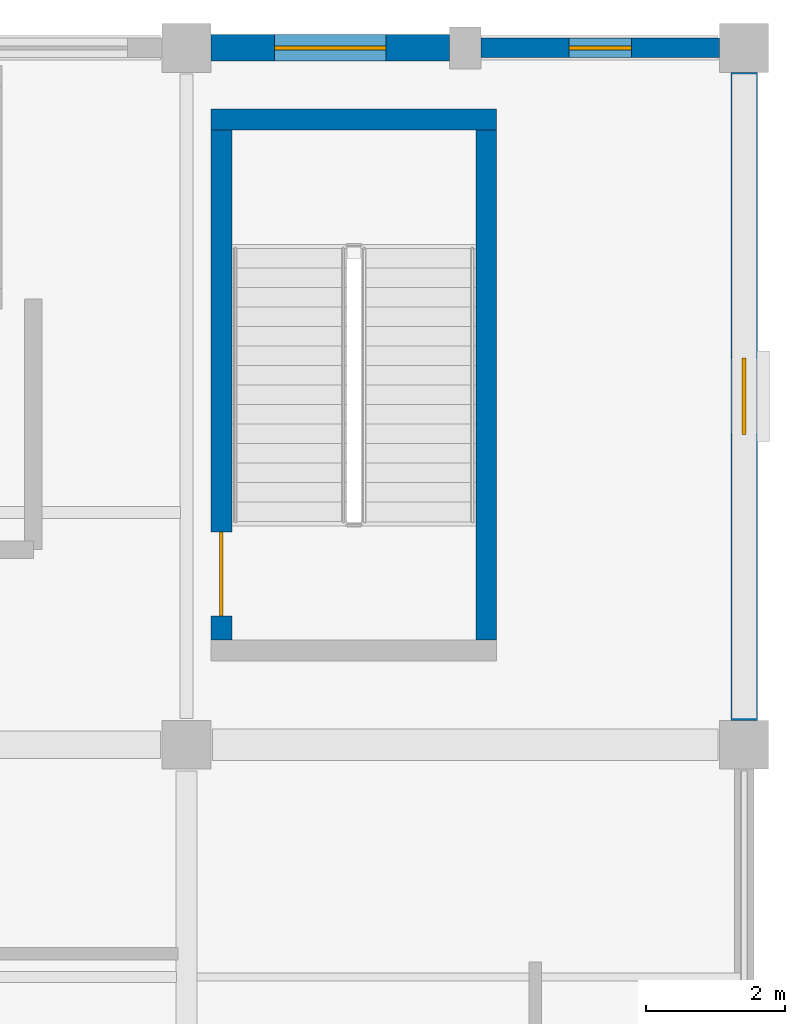
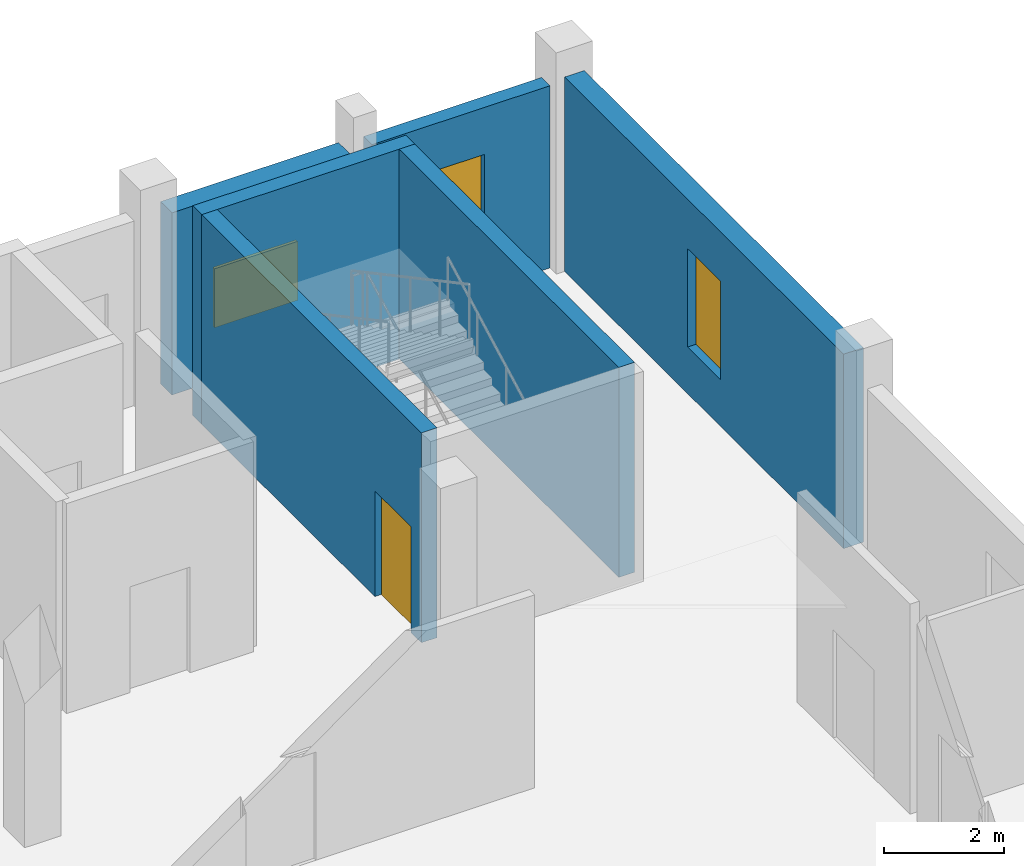
# One storey, part 51 of 77: 6 walls, 3 windows, 1 door, 4 openings.
"""IFC4 building model written with IfcOpenShell, lengths in metres."""

from ifc_helpers import new_model, si_unit, direction, frame, frame_2d, origin, place, context, subcontext, project, spatial, rectangle, extrude, material, layer, layer_set, type_object, element, fill, save


model = new_model("IFC4")

# Units and contexts
model_context = context("Model", 3, precision=1e-05, world=origin(), true_north=direction((0.0, 1.0)))
body_context = subcontext(model_context, "Body", "Model", "MODEL_VIEW")
ifc_project = project(units=[si_unit("LENGTHUNIT", "METRE"), si_unit("AREAUNIT", "SQUARE_METRE"), si_unit("VOLUMEUNIT", "CUBIC_METRE"), si_unit("PLANEANGLEUNIT", "RADIAN"), si_unit("MASSUNIT", "GRAM", prefix="KILO")], contexts=[model_context])

# Site, building, storey
site_placement = place(None, origin())
site = spatial("IfcSite", under=ifc_project, at=site_placement, CompositionType="ELEMENT")
building_placement = place(site_placement, origin())
building = spatial("IfcBuilding", under=site, at=building_placement, Name="Luwemba Playhouse", CompositionType="ELEMENT")
storey_placement = place(building_placement, frame((0.0, 0.0, 9.300048828125)))
storey = spatial("IfcBuildingStorey", under=building, at=storey_placement, Name="L02", CompositionType="ELEMENT", Elevation=9.300048828125)

# Wall, opening, window
ifc_material_1 = material(Name="Clay facing brick obra vista masonry", Category="masonry")
ifc_layer_1 = layer(ifc_material_1, 0.3798828125)
ifc_layer_set_1 = layer_set([ifc_layer_1], Name="Clay facing brick obra vista masonry")
wall_type_1 = type_object("IfcWallType", Name="WAL-BRK-380", PredefinedType="SOLIDWALL", material=ifc_layer_set_1)
wall_1_placement = place(storey_placement, frame((164.35009765625, 115.0, 0.0), z_axis=(0.0, 0.0, 1.0), x_axis=(1.0, 0.0, 0.0)))
wall_1 = element("IfcWall", 1, at=wall_1_placement, inside=storey, type_object=wall_type_1, Name="L02 V6E exterior facade wall 0390", PredefinedType="SOLIDWALL", context=body_context, shape_type="SweptSolid", body=[
    extrude(rectangle(XDim=3.4248046875, YDim=0.3798828125, at=frame_2d((1.71240234375, 0.0))), origin(), (0.0, 0.0, 1.0), 3.704833984375),
])
opening_1_placement = place(wall_1_placement, frame((0.91259765625, 0.0, 0.949951171875)))
opening_1 = element("IfcOpeningElement", 2, at=opening_1_placement, cuts=wall_1, Name="Opening WN-15", PredefinedType="OPENING", context=body_context, shape_type="SweptSolid", body=[
    extrude(rectangle(XDim=1.60009765625, YDim=1.199951171875, at=frame_2d((0.800048828125, 0.60009765625))), frame((0.0, 0.199951171875, 0.0), z_axis=(0.0, -1.0, 0.0), x_axis=(1.0, 0.0, 0.0)), (0.0, 0.0, 1.0), 0.39990234375),
])
ifc_material_2 = material(Name="Solar-control double glazing in aluminium frame", Category="aluminium")
window_type_1 = type_object("IfcWindowType", Name="WIN-WN-15", PartitioningType="DOUBLE_PANEL_HORIZONTAL", PredefinedType="WINDOW", material=ifc_material_2)
window_1_placement = place(opening_1_placement, origin())
window_1 = element("IfcWindow", 3, at=window_1_placement, inside=storey, type_object=window_type_1, Name="L02 V6E scheduled window 0333", OverallHeight=1.199951171875, OverallWidth=1.60009765625, PartitioningType="DOUBLE_PANEL_HORIZONTAL", PredefinedType="WINDOW", context=body_context, shape_type="SweptSolid", body=[
    extrude(rectangle(XDim=1.60009765625, YDim=1.199951171875, at=frame_2d((0.800048828125, 0.60009765625))), frame((0.0, 0.030029296875, 0.0), z_axis=(0.0, -1.0, 0.0), x_axis=(1.0, 0.0, 0.0)), (0.0, 0.0, 1.0), 0.06005859375),
])
fill(opening_1, window_1)

wall_2_placement = place(storey_placement, frame((172.0, 114.64990234375, 0.0), z_axis=(0.0, 0.0, 1.0), x_axis=(0.0, -1.0, 0.0)))
wall_2 = element("IfcWall", 4, at=wall_2_placement, inside=storey, type_object=wall_type_1, Name="L02 V6E exterior facade wall 0392", PredefinedType="SOLIDWALL", context=body_context, shape_type="SweptSolid", body=[
    extrude(rectangle(XDim=9.2998046875, YDim=0.3798828125, at=frame_2d((4.64990234375, 0.0))), origin(), (0.0, 0.0, 1.0), 3.954833984375),
])
opening_2_placement = place(wall_2_placement, frame((4.10009765625, 0.0, 0.949951171875)))
opening_2 = element("IfcOpeningElement", 5, at=opening_2_placement, cuts=wall_2, Name="Opening WN-19", PredefinedType="OPENING", context=body_context, shape_type="SweptSolid", body=[
    extrude(rectangle(XDim=1.10009765625, YDim=2.0, at=frame_2d((0.550048828125, 1.0))), frame((0.0, 0.199951171875, 0.0), z_axis=(0.0, -1.0, 0.0), x_axis=(1.0, 0.0, 0.0)), (0.0, 0.0, 1.0), 0.39990234375),
])
window_type_2 = type_object("IfcWindowType", Name="WIN-WN-19", PartitioningType="SINGLE_PANEL", PredefinedType="WINDOW", material=ifc_material_2)
window_2_placement = place(opening_2_placement, origin())
window_2 = element("IfcWindow", 6, at=window_2_placement, inside=storey, type_object=window_type_2, Name="L02 V6E scheduled window 0335", OverallHeight=2.0, OverallWidth=1.10009765625, PartitioningType="SINGLE_PANEL", PredefinedType="WINDOW", context=body_context, shape_type="SweptSolid", body=[
    extrude(rectangle(XDim=1.10009765625, YDim=2.0, at=frame_2d((0.550048828125, 1.0))), frame((0.0, 0.030029296875, 0.0), z_axis=(0.0, -1.0, 0.0), x_axis=(1.0, 0.0, 0.0)), (0.0, 0.0, 1.0), 0.06005859375),
])
fill(opening_2, window_2)

# Wall
ifc_material_3 = material(Name="Concrete C40/50", Category="concrete")
ifc_layer_2 = layer(ifc_material_3, 0.300048828125)
ifc_layer_set_2 = layer_set([ifc_layer_2], Name="Concrete C40/50")
wall_type_2 = type_object("IfcWallType", Name="WAL-CORE-300", PredefinedType="SHEAR", material=ifc_layer_set_2)
wall_3_placement = place(storey_placement, frame((168.449951171875, 113.969970703125, 0.0), z_axis=(0.0, 0.0, 1.0), x_axis=(-1.0, 0.0, 0.0)))
element("IfcWall", 7, at=wall_3_placement, inside=storey, type_object=wall_type_2, Name="L02 ST-10 stair core wall N", PredefinedType="SHEAR", context=body_context, shape_type="SweptSolid", body=[
    extrude(rectangle(XDim=4.099853515625, YDim=0.300048828125, at=frame_2d((2.0498046875, 0.0))), origin(), (0.0, 0.0, 1.0), 4.27001953125),
])

# Wall, opening, door
wall_4_placement = place(storey_placement, frame((164.5, 113.820068359375, 0.0), z_axis=(0.0, 0.0, 1.0), x_axis=(0.0, -1.0, 0.0)))
wall_4 = element("IfcWall", 8, at=wall_4_placement, inside=storey, type_object=wall_type_2, Name="L02 ST-10 stair core wall W", PredefinedType="SHEAR", context=body_context, shape_type="SweptSolid", body=[
    extrude(rectangle(XDim=7.320068359375, YDim=0.300048828125, at=frame_2d((3.66015625, 0.0))), origin(), (0.0, 0.0, 1.0), 4.27001953125),
])
opening_3_placement = place(wall_4_placement, frame((5.77001953125, 0.0, 0.0)))
opening_3 = element("IfcOpeningElement", 9, at=opening_3_placement, cuts=wall_4, Name="Opening D-STAIR3", PredefinedType="OPENING", context=body_context, shape_type="SweptSolid", body=[
    extrude(rectangle(XDim=1.199951171875, YDim=2.14990234375, at=frame_2d((0.60009765625, 1.074951171875))), frame((0.0, 0.159912109375, 0.0), z_axis=(0.0, -1.0, 0.0), x_axis=(1.0, 0.0, 0.0)), (0.0, 0.0, 1.0), 0.320068359375),
])
ifc_material_4 = material(Name="Hardwood acoustic fire door leaf", Category="wood")
door_type = type_object("IfcDoorType", Name="DR-STAIR-120", OperationType="NOTDEFINED", PredefinedType="DOOR", material=ifc_material_4)
door_placement = place(opening_3_placement, origin())
door = element("IfcDoor", 10, at=door_placement, inside=storey, type_object=door_type, Name="L02 ST-10 protected stair entry door", OperationType="SINGLE_SWING_RIGHT", OverallHeight=2.14990234375, OverallWidth=1.199951171875, PredefinedType="DOOR", context=body_context, shape_type="SweptSolid", body=[
    extrude(rectangle(XDim=1.199951171875, YDim=2.14990234375, at=frame_2d((0.60009765625, 1.074951171875))), frame((0.0, 0.02490234375, 0.0), z_axis=(0.0, -1.0, 0.0), x_axis=(1.0, 0.0, 0.0)), (0.0, 0.0, 1.0), 0.050048828125),
])
fill(opening_3, door)

# Wall
wall_5_placement = place(storey_placement, frame((168.300048828125, 113.820068359375, 0.0), z_axis=(0.0, 0.0, 1.0), x_axis=(0.0, -1.0, 0.0)))
element("IfcWall", 11, at=wall_5_placement, inside=storey, type_object=wall_type_2, Name="L02 ST-10 stair core wall E", PredefinedType="SHEAR", context=body_context, shape_type="SweptSolid", body=[
    extrude(rectangle(XDim=7.320068359375, YDim=0.300048828125, at=frame_2d((3.66015625, 0.0))), origin(), (0.0, 0.0, 1.0), 4.27001953125),
])

# Wall, opening, window
ifc_material_5 = material(Name="Structural timber GL24h infill", Category="wood")
ifc_layer_3 = layer(ifc_material_5, 0.280029296875)
ifc_layer_set_3 = layer_set([ifc_layer_3], Name="Structural timber GL24h infill")
wall_type_3 = type_object("IfcWallType", Name="WAL-TIM-280", PredefinedType="SOLIDWALL", material=ifc_layer_set_3)
wall_6_placement = place(storey_placement, frame((168.22509765625, 115.0, 0.0), z_axis=(0.0, 0.0, 1.0), x_axis=(1.0, 0.0, 0.0)))
wall_6 = element("IfcWall", 12, at=wall_6_placement, inside=storey, type_object=wall_type_3, Name="L02 V6E exterior facade wall 0391", PredefinedType="SOLIDWALL", context=body_context, shape_type="SweptSolid", body=[
    extrude(rectangle(XDim=3.4248046875, YDim=0.280029296875, at=frame_2d((1.71240234375, 0.0))), origin(), (0.0, 0.0, 1.0), 3.704833984375),
])
opening_4_placement = place(wall_6_placement, frame((1.262451171875, 0.0, 0.949951171875)))
opening_4 = element("IfcOpeningElement", 13, at=opening_4_placement, cuts=wall_6, Name="Opening WN-18", PredefinedType="OPENING", context=body_context, shape_type="SweptSolid", body=[
    extrude(rectangle(XDim=0.89990234375, YDim=1.800048828125, at=frame_2d((0.449951171875, 0.89990234375))), frame((0.0, 0.14990234375, 0.0), z_axis=(0.0, -1.0, 0.0), x_axis=(1.0, 0.0, 0.0)), (0.0, 0.0, 1.0), 0.300048828125),
])
window_type_3 = type_object("IfcWindowType", Name="WIN-WN-18", PartitioningType="SINGLE_PANEL", PredefinedType="WINDOW", material=ifc_material_2)
window_3_placement = place(opening_4_placement, origin())
window_3 = element("IfcWindow", 14, at=window_3_placement, inside=storey, type_object=window_type_3, Name="L02 V6E scheduled window 0334", OverallHeight=1.800048828125, OverallWidth=0.89990234375, PartitioningType="SINGLE_PANEL", PredefinedType="WINDOW", context=body_context, shape_type="SweptSolid", body=[
    extrude(rectangle(XDim=0.89990234375, YDim=1.800048828125, at=frame_2d((0.449951171875, 0.89990234375))), frame((0.0, 0.030029296875, 0.0), z_axis=(0.0, -1.0, 0.0), x_axis=(1.0, 0.0, 0.0)), (0.0, 0.0, 1.0), 0.06005859375),
])
fill(opening_4, window_3)

save(model, "model.ifc")
